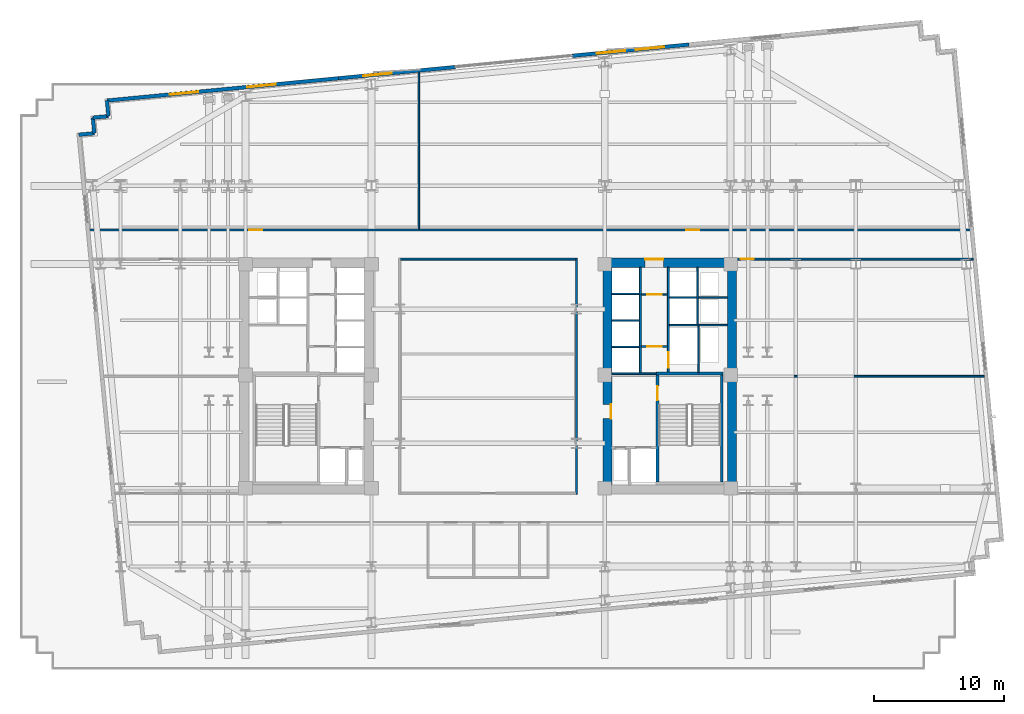
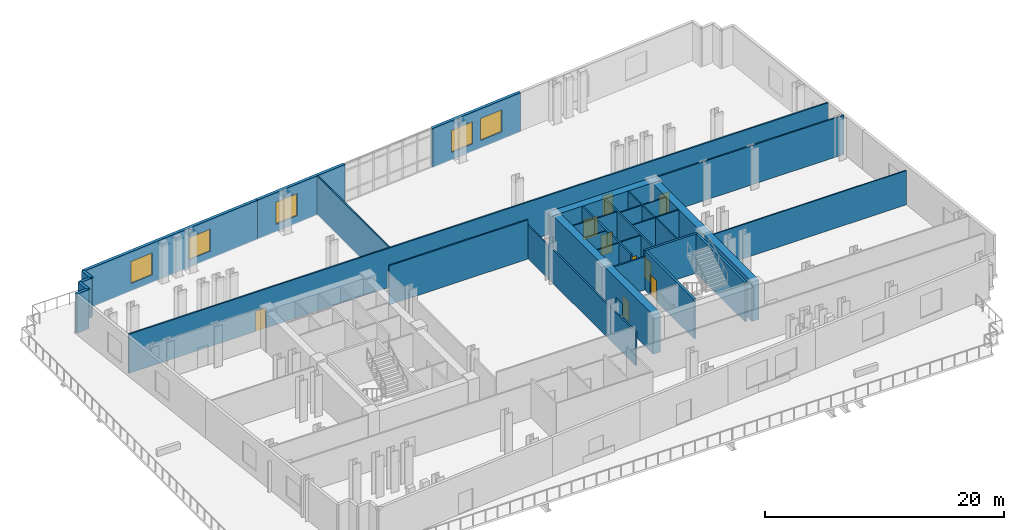
# One storey, part 8 of 14: 32 walls, 9 doors, 5 windows, 14 openings.
"""IFC4 building model written with IfcOpenShell, lengths in metres."""

from ifc_helpers import new_model, si_unit, direction, frame, frame_2d, origin, place, context, subcontext, project, spatial, rectangle, extrude, material, layer, layer_set, type_object, element, fill, save


model = new_model("IFC4")

# Units and contexts
model_context = context("Model", 3, precision=1e-05, world=origin(), true_north=direction((0.0, 1.0)))
body_context = subcontext(model_context, "Body", "Model", "MODEL_VIEW")
ifc_project = project(units=[si_unit("LENGTHUNIT", "METRE"), si_unit("AREAUNIT", "SQUARE_METRE"), si_unit("VOLUMEUNIT", "CUBIC_METRE"), si_unit("PLANEANGLEUNIT", "RADIAN"), si_unit("MASSUNIT", "GRAM", prefix="KILO")], contexts=[model_context])

# Site, building, storey
site_placement = place(None, origin())
site = spatial("IfcSite", under=ifc_project, at=site_placement, CompositionType="ELEMENT")
building_placement = place(site_placement, origin())
building = spatial("IfcBuilding", under=site, at=building_placement, Name="Velakula Bourse", CompositionType="ELEMENT")
storey_placement = place(building_placement, frame((0.0, 0.0, 70.0)))
storey = spatial("IfcBuildingStorey", under=building, at=storey_placement, Name="L18", CompositionType="ELEMENT", Elevation=70.0)

# Wall, opening, door
ifc_material_1 = material(Name="Concrete M50 (fck 50 MPa)", Category="concrete")
ifc_layer_1 = layer(ifc_material_1, 0.2099609375, Name="Concrete M50 (fck 50 MPa)", Category="concrete")
ifc_layer_set_1 = layer_set([ifc_layer_1], Name="Concrete M50 (fck 50 MPa)")
wall_type_1 = type_object("IfcWallType", Name="WL-CORE-210", PredefinedType="SHEAR", material=ifc_layer_set_1)
wall_1_placement = place(storey_placement, frame((12.9951171875, -8.10009765625, 0.0), z_axis=(0.0, 0.0, 1.0), x_axis=(0.0, 1.0, 0.0)))
wall_1 = element("IfcWall", 1, at=wall_1_placement, inside=storey, type_object=wall_type_1, Name="L18 Core E Stairwell Shear Wall IN", PredefinedType="SHEAR", context=body_context, shape_type="SweptSolid", body=[
    extrude(rectangle(XDim=8.2001953125, YDim=0.2099609375, at=frame_2d((4.10009765625, 0.0))), origin(), (0.0, 0.0, 1.0), 4.02001953125),
])
opening_1_placement = place(wall_1_placement, frame((6.25, 0.0, 0.0)))
opening_1 = element("IfcOpeningElement", 2, at=opening_1_placement, cuts=wall_1, Name="Opening D-STE1", PredefinedType="OPENING", context=body_context, shape_type="SweptSolid", body=[
    extrude(rectangle(XDim=1.10009765625, YDim=2.14990234375, at=frame_2d((0.550048828125, 1.074951171875))), frame((0.0, 0.114990234375, 0.0), z_axis=(0.0, -1.0, 0.0), x_axis=(1.0, 0.0, 0.0)), (0.0, 0.0, 1.0), 0.22998046875),
])
ifc_material_2 = material(Name="Galvanised painted hollow steel fire door", Category="steel")
door_type_1 = type_object("IfcDoorType", Name="DR-FD120-1100x2150", OperationType="NOTDEFINED", PredefinedType="DOOR", material=ifc_material_2)
door_1_placement = place(opening_1_placement, origin())
door_1 = element("IfcDoor", 3, at=door_1_placement, inside=storey, type_object=door_type_1, Name="L18 Stair ST-E1 Fire Door", OperationType="SINGLE_SWING_RIGHT", OverallHeight=2.14990234375, OverallWidth=1.10009765625, PredefinedType="DOOR", context=body_context, shape_type="SweptSolid", body=[
    extrude(rectangle(XDim=1.10009765625, YDim=2.14990234375, at=frame_2d((0.550048828125, 1.074951171875))), frame((0.0, 0.02490234375, 0.0), z_axis=(0.0, -1.0, 0.0), x_axis=(1.0, 0.0, 0.0)), (0.0, 0.0, 1.0), 0.050048828125),
])
fill(opening_1, door_1)

# Walls
wall_2_placement = place(storey_placement, frame((17.925048828125, -8.10009765625, 0.0), z_axis=(0.0, 0.0, 1.0), x_axis=(0.0, 1.0, 0.0)))
element("IfcWall", 4, at=wall_2_placement, inside=storey, type_object=wall_type_1, Name="L18 Core E Stairwell Shear Wall OUT", PredefinedType="SHEAR", context=body_context, shape_type="SweptSolid", body=[
    extrude(rectangle(XDim=8.2001953125, YDim=0.2099609375, at=frame_2d((4.10009765625, 0.0))), origin(), (0.0, 0.0, 1.0), 4.02001953125),
])
wall_3_placement = place(storey_placement, frame((18.030029296875, 0.205078125, 0.0), z_axis=(0.0, 0.0, 1.0), x_axis=(-1.0, 0.0, 0.0)))
element("IfcWall", 5, at=wall_3_placement, inside=storey, type_object=wall_type_1, Name="L18 Core E Stairwell Shear Wall N", PredefinedType="SHEAR", context=body_context, shape_type="SweptSolid", body=[
    extrude(rectangle(XDim=5.14013671875, YDim=0.2099609375, at=frame_2d((2.570068359375, 0.0))), origin(), (0.0, 0.0, 1.0), 4.02001953125),
])

# Wall, opening, door
ifc_material_3 = material(Name="Concrete M70 (fck 70 MPa)", Category="concrete")
ifc_layer_2 = layer(ifc_material_3, 0.699951171875, Name="Concrete M70 (fck 70 MPa)", Category="concrete")
ifc_layer_set_2 = layer_set([ifc_layer_2], Name="Concrete M70 (fck 70 MPa)")
wall_type_2 = type_object("IfcWallType", Name="WL-CORE-700", PredefinedType="SHEAR", material=ifc_layer_set_2)
wall_4_placement = place(storey_placement, frame((8.800048828125, 8.699951171875, 0.0), z_axis=(0.0, 0.0, 1.0), x_axis=(1.0, 0.0, 0.0)))
wall_4 = element("IfcWall", 6, at=wall_4_placement, inside=storey, type_object=wall_type_2, Name="L18 Core E Shear Wall N", PredefinedType="SHEAR", context=body_context, shape_type="SweptSolid", body=[
    extrude(rectangle(XDim=10.25, YDim=0.699951171875, at=frame_2d((5.125, 0.0))), origin(), (0.0, 0.0, 1.0), 4.02001953125),
])
opening_2_placement = place(wall_4_placement, frame((3.25, 0.0, 0.0)))
opening_2 = element("IfcOpeningElement", 7, at=opening_2_placement, cuts=wall_4, Name="Opening D-LLE", PredefinedType="OPENING", context=body_context, shape_type="SweptSolid", body=[
    extrude(rectangle(XDim=1.39990234375, YDim=2.050048828125, at=frame_2d((0.699951171875, 1.02490234375))), frame((0.0, 0.35986328125, 0.0), z_axis=(0.0, -1.0, 0.0), x_axis=(1.0, 0.0, 0.0)), (0.0, 0.0, 1.0), 0.719970703125),
])
ifc_material_4 = material(Name="Fire-rated hardwood flush architectural door", Category="wood")
door_type_2 = type_object("IfcDoorType", Name="DR-DBL-FD60-1400", OperationType="DOUBLE_DOOR_SINGLE_SWING", PredefinedType="DOOR", material=ifc_material_4)
door_2_placement = place(opening_2_placement, origin())
door_2 = element("IfcDoor", 8, at=door_2_placement, inside=storey, type_object=door_type_2, Name="L18 Core E Lift Lobby Corridor Double Door", OperationType="DOUBLE_DOOR_SINGLE_SWING", OverallHeight=2.050048828125, OverallWidth=1.39990234375, PredefinedType="DOOR", context=body_context, shape_type="SweptSolid", body=[
    extrude(rectangle(XDim=1.39990234375, YDim=2.050048828125, at=frame_2d((0.699951171875, 1.02490234375))), frame((0.0, 0.294921875, 0.0), z_axis=(0.0, -1.0, 0.0), x_axis=(1.0, 0.0, 0.0)), (0.0, 0.0, 1.0), 0.050048828125),
])
fill(opening_2, door_2)

wall_5_placement = place(storey_placement, frame((9.14990234375, -8.35009765625, 0.0), z_axis=(0.0, 0.0, 1.0), x_axis=(0.0, 1.0, 0.0)))
wall_5 = element("IfcWall", 9, at=wall_5_placement, inside=storey, type_object=wall_type_2, Name="L18 Core E Shear Wall W", PredefinedType="SHEAR", context=body_context, shape_type="SweptSolid", body=[
    extrude(rectangle(XDim=16.7001953125, YDim=0.699951171875, at=frame_2d((8.35009765625, 0.0))), origin(), (0.0, 0.0, 1.0), 4.02001953125),
])
opening_3_placement = place(wall_5_placement, frame((5.10009765625, 0.0, 0.0)))
opening_3 = element("IfcOpeningElement", 10, at=opening_3_placement, cuts=wall_5, Name="Opening D-FLE", PredefinedType="OPENING", context=body_context, shape_type="SweptSolid", body=[
    extrude(rectangle(XDim=1.10009765625, YDim=2.080078125, at=frame_2d((0.550048828125, 1.0400390625))), frame((0.0, 0.35986328125, 0.0), z_axis=(0.0, -1.0, 0.0), x_axis=(1.0, 0.0, 0.0)), (0.0, 0.0, 1.0), 0.719970703125),
])
door_type_3 = type_object("IfcDoorType", Name="DR-FD120-1100", OperationType="NOTDEFINED", PredefinedType="DOOR", material=ifc_material_2)
door_3_placement = place(opening_3_placement, origin())
door_3 = element("IfcDoor", 11, at=door_3_placement, inside=storey, type_object=door_type_3, Name="L18 Firefighting Lobby E Corridor Fire Door", OperationType="SINGLE_SWING_RIGHT", OverallHeight=2.080078125, OverallWidth=1.10009765625, PredefinedType="DOOR", context=body_context, shape_type="SweptSolid", body=[
    extrude(rectangle(XDim=1.10009765625, YDim=2.080078125, at=frame_2d((0.550048828125, 1.0400390625))), frame((0.0, -0.2548828125, 0.0), z_axis=(0.0, -1.0, 0.0), x_axis=(1.0, 0.0, 0.0)), (0.0, 0.0, 1.0), 0.050048828125),
])
fill(opening_3, door_3)

# Wall
wall_6_placement = place(storey_placement, frame((18.699951171875, -8.35009765625, 0.0), z_axis=(0.0, 0.0, 1.0), x_axis=(0.0, 1.0, 0.0)))
element("IfcWall", 12, at=wall_6_placement, inside=storey, type_object=wall_type_2, Name="L18 Core E Shear Wall E", PredefinedType="SHEAR", context=body_context, shape_type="SweptSolid", body=[
    extrude(rectangle(XDim=16.7001953125, YDim=0.699951171875, at=frame_2d((8.35009765625, 0.0))), origin(), (0.0, 0.0, 1.0), 4.02001953125),
])

# Wall, openings, windows
ifc_material_5 = material(Name="Red kilned clay facing brick masonry", Category="masonry")
ifc_layer_3 = layer(ifc_material_5, 0.280029296875, Name="Red kilned clay facing brick masonry", Category="masonry")
ifc_layer_set_3 = layer_set([ifc_layer_3], Name="Red kilned clay facing brick masonry")
wall_type_3 = type_object("IfcWallType", Name="WL-EXT-BRK-280", PredefinedType="STANDARD", material=ifc_layer_set_3)
wall_7_placement = place(storey_placement, frame((-29.2314453125, 21.138427734375, 0.0), z_axis=(0.0, 0.0, 1.0), x_axis=(0.995395780835, 0.095850088663, 0.0)))
wall_7 = element("IfcWall", 13, at=wall_7_placement, inside=storey, type_object=wall_type_3, Name="L18 N Brick Spandrel Wall B1", PredefinedType="STANDARD", context=body_context, shape_type="SweptSolid", body=[
    extrude(rectangle(XDim=17.83984375, YDim=0.280029296875, at=frame_2d((8.919921875, 0.0))), origin(), (0.0, 0.0, 1.0), 4.0),
])
opening_4_placement = place(wall_7_placement, frame((4.8466796875, 0.0, 0.760009765625)))
opening_4 = element("IfcOpeningElement", 14, at=opening_4_placement, cuts=wall_7, Name="Opening W-08", PredefinedType="OPENING", context=body_context, shape_type="SweptSolid", body=[
    extrude(rectangle(XDim=2.199951171875, YDim=2.25, at=frame_2d((1.10009765625, 1.125))), frame((0.0, 0.14990234375, 0.0), z_axis=(0.0, -1.0, 0.0), x_axis=(1.0, 0.0, 0.0)), (0.0, 0.0, 1.0), 0.300048828125),
])
opening_5_placement = place(wall_7_placement, frame((10.793212890625, 0.0, 0.760009765625)))
opening_5 = element("IfcOpeningElement", 15, at=opening_5_placement, cuts=wall_7, Name="Opening W-08", PredefinedType="OPENING", context=body_context, shape_type="SweptSolid", body=[
    extrude(rectangle(XDim=2.199951171875, YDim=2.25, at=frame_2d((1.10009765625, 1.125))), frame((0.0, 0.14990234375, 0.0), z_axis=(0.0, -1.0, 0.0), x_axis=(1.0, 0.0, 0.0)), (0.0, 0.0, 1.0), 0.300048828125),
])
ifc_material_6 = material(Name="Double-glazed solar-control Low-E glass", Category="glass")
window_type = type_object("IfcWindowType", Name="WIN-SL-2200x2500", PartitioningType="DOUBLE_PANEL_VERTICAL", PredefinedType="WINDOW", material=ifc_material_6)
window_1_placement = place(opening_4_placement, origin())
window_1 = element("IfcWindow", 16, at=window_1_placement, inside=storey, type_object=window_type, Name="L18 Deep-Set Recessed Window 1", OverallHeight=2.25, OverallWidth=2.199951171875, PartitioningType="DOUBLE_PANEL_VERTICAL", PredefinedType="WINDOW", context=body_context, shape_type="SweptSolid", body=[
    extrude(rectangle(XDim=2.199951171875, YDim=2.25, at=frame_2d((1.10009765625, 1.125))), frame((0.0, 0.030029296875, 0.0), z_axis=(0.0, -1.0, 0.0), x_axis=(1.0, 0.0, 0.0)), (0.0, 0.0, 1.0), 0.06005859375),
])
fill(opening_4, window_1)
window_2_placement = place(opening_5_placement, origin())
window_2 = element("IfcWindow", 17, at=window_2_placement, inside=storey, type_object=window_type, Name="L18 Deep-Set Recessed Window 2", OverallHeight=2.25, OverallWidth=2.199951171875, PartitioningType="DOUBLE_PANEL_VERTICAL", PredefinedType="WINDOW", context=body_context, shape_type="SweptSolid", body=[
    extrude(rectangle(XDim=2.199951171875, YDim=2.25, at=frame_2d((1.10009765625, 1.125))), frame((0.0, 0.030029296875, 0.0), z_axis=(0.0, -1.0, 0.0), x_axis=(1.0, 0.0, 0.0)), (0.0, 0.0, 1.0), 0.06005859375),
])
fill(opening_5, window_2)

# Wall, opening, window
wall_8_placement = place(storey_placement, frame((-11.4736328125, 22.848388671875, 0.0), z_axis=(0.0, 0.0, 1.0), x_axis=(0.995396794462, 0.09583956164, 0.0)))
wall_8 = element("IfcWall", 18, at=wall_8_placement, inside=storey, type_object=wall_type_3, Name="L18 N Brick Spandrel Wall B2", PredefinedType="STANDARD", context=body_context, shape_type="SweptSolid", body=[
    extrude(rectangle(XDim=9.0, YDim=0.280029296875, at=frame_2d((4.5, 0.0))), origin(), (0.0, 0.0, 1.0), 4.0),
])
opening_6_placement = place(wall_8_placement, frame((1.89990234375, 0.0, 0.760009765625)))
opening_6 = element("IfcOpeningElement", 19, at=opening_6_placement, cuts=wall_8, Name="Opening W-08", PredefinedType="OPENING", context=body_context, shape_type="SweptSolid", body=[
    extrude(rectangle(XDim=2.199951171875, YDim=2.25, at=frame_2d((1.10009765625, 1.125))), frame((0.0, 0.14990234375, 0.0), z_axis=(0.0, -1.0, 0.0), x_axis=(1.0, 0.0, 0.0)), (0.0, 0.0, 1.0), 0.300048828125),
])
window_3_placement = place(opening_6_placement, origin())
window_3 = element("IfcWindow", 20, at=window_3_placement, inside=storey, type_object=window_type, Name="L18 Deep-Set Recessed Window 1", OverallHeight=2.25, OverallWidth=2.199951171875, PartitioningType="DOUBLE_PANEL_VERTICAL", PredefinedType="WINDOW", context=body_context, shape_type="SweptSolid", body=[
    extrude(rectangle(XDim=2.199951171875, YDim=2.25, at=frame_2d((1.10009765625, 1.125))), frame((0.0, 0.030029296875, 0.0), z_axis=(0.0, -1.0, 0.0), x_axis=(1.0, 0.0, 0.0)), (0.0, 0.0, 1.0), 0.06005859375),
])
fill(opening_6, window_3)

# Wall, openings, windows
wall_9_placement = place(storey_placement, frame((6.443603515625, 24.573486328125, 0.0), z_axis=(0.0, 0.0, 1.0), x_axis=(0.995396794462, 0.09583956164, 0.0)))
wall_9 = element("IfcWall", 21, at=wall_9_placement, inside=storey, type_object=wall_type_3, Name="L18 N Brick Spandrel Wall B4", PredefinedType="STANDARD", context=body_context, shape_type="SweptSolid", body=[
    extrude(rectangle(XDim=9.0, YDim=0.280029296875, at=frame_2d((4.5, 0.0))), origin(), (0.0, 0.0, 1.0), 4.0),
])
opening_7_placement = place(wall_9_placement, frame((1.89990234375, 0.0, 0.760009765625)))
opening_7 = element("IfcOpeningElement", 22, at=opening_7_placement, cuts=wall_9, Name="Opening W-08", PredefinedType="OPENING", context=body_context, shape_type="SweptSolid", body=[
    extrude(rectangle(XDim=2.199951171875, YDim=2.25, at=frame_2d((1.10009765625, 1.125))), frame((0.0, 0.14990234375, 0.0), z_axis=(0.0, -1.0, 0.0), x_axis=(1.0, 0.0, 0.0)), (0.0, 0.0, 1.0), 0.300048828125),
])
opening_8_placement = place(wall_9_placement, frame((4.89990234375, 0.0, 0.760009765625)))
opening_8 = element("IfcOpeningElement", 23, at=opening_8_placement, cuts=wall_9, Name="Opening W-08", PredefinedType="OPENING", context=body_context, shape_type="SweptSolid", body=[
    extrude(rectangle(XDim=2.199951171875, YDim=2.25, at=frame_2d((1.10009765625, 1.125))), frame((0.0, 0.14990234375, 0.0), z_axis=(0.0, -1.0, 0.0), x_axis=(1.0, 0.0, 0.0)), (0.0, 0.0, 1.0), 0.300048828125),
])
window_4_placement = place(opening_7_placement, origin())
window_4 = element("IfcWindow", 24, at=window_4_placement, inside=storey, type_object=window_type, Name="L18 Deep-Set Recessed Window 1", OverallHeight=2.25, OverallWidth=2.199951171875, PartitioningType="DOUBLE_PANEL_VERTICAL", PredefinedType="WINDOW", context=body_context, shape_type="SweptSolid", body=[
    extrude(rectangle(XDim=2.199951171875, YDim=2.25, at=frame_2d((1.10009765625, 1.125))), frame((0.0, 0.030029296875, 0.0), z_axis=(0.0, -1.0, 0.0), x_axis=(1.0, 0.0, 0.0)), (0.0, 0.0, 1.0), 0.06005859375),
])
fill(opening_7, window_4)
window_5_placement = place(opening_8_placement, origin())
window_5 = element("IfcWindow", 25, at=window_5_placement, inside=storey, type_object=window_type, Name="L18 Deep-Set Recessed Window 2", OverallHeight=2.25, OverallWidth=2.199951171875, PartitioningType="DOUBLE_PANEL_VERTICAL", PredefinedType="WINDOW", context=body_context, shape_type="SweptSolid", body=[
    extrude(rectangle(XDim=2.199951171875, YDim=2.25, at=frame_2d((1.10009765625, 1.125))), frame((0.0, 0.030029296875, 0.0), z_axis=(0.0, -1.0, 0.0), x_axis=(1.0, 0.0, 0.0)), (0.0, 0.0, 1.0), 0.06005859375),
])
fill(opening_8, window_5)

# Walls
for number, where, z_axis, x_axis, name in (
    (26, (-29.2314453125, 21.138427734375, 0.0), (0.0, 0.0, 1.0), (0.095817067274, -0.995398960025, 0.0), "L18 Serrated Corner Brick Wall NW-1"),
    (27, (-29.116455078125, 19.94384765625, 0.0), (0.0, 0.0, 1.0), (-0.995398960025, -0.095817067274, 0.0), "L18 Serrated Corner Brick Wall NW-2"),
):
    element("IfcWall", number, at=place(storey_placement, frame(where, z_axis=z_axis, x_axis=x_axis)), inside=storey, type_object=wall_type_3, Name=name, PredefinedType="STANDARD", context=body_context, shape_type="SweptSolid", body=[
        extrude(rectangle(XDim=1.2001953125, YDim=0.280029296875, at=frame_2d((0.60009765625, 0.0))), origin(), (0.0, 0.0, 1.0), 4.0),
    ])
for number, where, z_axis, x_axis, name in (
    (28, (-30.31103515625, 19.828857421875, 0.0), (0.0, 0.0, 1.0), (0.095836473879, -0.995397091755, 0.0), "L18 Serrated Corner Brick Wall NW-3"),
    (29, (-30.196044921875, 18.634521484375, 0.0), (0.0, 0.0, 1.0), (-0.995397091755, -0.095836473879, 0.0), "L18 Serrated Corner Brick Wall NW-4"),
):
    element("IfcWall", number, at=place(storey_placement, frame(where, z_axis=z_axis, x_axis=x_axis)), inside=storey, type_object=wall_type_3, Name=name, PredefinedType="STANDARD", context=body_context, shape_type="SweptSolid", body=[
        extrude(rectangle(XDim=1.199951171875, YDim=0.280029296875, at=frame_2d((0.60009765625, 0.0))), origin(), (0.0, 0.0, 1.0), 4.0),
    ])

# Wall, opening, door
ifc_material_7 = material(Name="Fire-rated double-layer gypsum drywall partition", Category="gypsum")
ifc_layer_4 = layer(ifc_material_7, 0.1201171875, Name="Fire-rated double-layer gypsum drywall partition", Category="gypsum")
ifc_layer_set_4 = layer_set([ifc_layer_4], Name="Fire-rated double-layer gypsum drywall partition")
wall_type_4 = type_object("IfcWallType", Name="WL-PART-120", PredefinedType="STANDARD", material=ifc_layer_set_4)
wall_10_placement = place(storey_placement, frame((11.75, 2.280029296875, 0.0), z_axis=(0.0, 0.0, 1.0), x_axis=(1.0, 0.0, 0.0)))
wall_10 = element("IfcWall", 30, at=wall_10_placement, inside=storey, type_object=wall_type_4, Name="L18 Interior Partition WL-CRE-L18-LL-K3A", PredefinedType="STANDARD", context=body_context, shape_type="SweptSolid", body=[
    extrude(rectangle(XDim=2.0, YDim=0.1201171875, at=frame_2d((1.0, 0.0))), origin(), (0.0, 0.0, 1.0), 4.0),
])
opening_9_placement = place(wall_10_placement, frame((0.449951171875, 0.0, 0.0)))
opening_9 = element("IfcOpeningElement", 31, at=opening_9_placement, cuts=wall_10, Name="Opening D-LK3", PredefinedType="OPENING", context=body_context, shape_type="SweptSolid", body=[
    extrude(rectangle(XDim=1.10009765625, YDim=2.10009765625, at=frame_2d((0.550048828125, 1.050048828125))), frame((0.0, 0.070068359375, 0.0), z_axis=(0.0, -1.0, 0.0), x_axis=(1.0, 0.0, 0.0)), (0.0, 0.0, 1.0), 0.14013671875),
])
door_type_4 = type_object("IfcDoorType", Name="DR-FD60-1100x2100", OperationType="NOTDEFINED", PredefinedType="DOOR", material=ifc_material_4)
door_4_placement = place(opening_9_placement, origin())
door_4 = element("IfcDoor", 32, at=door_4_placement, inside=storey, type_object=door_type_4, Name="L18 Core E Lift Lobby Vestibule Door A", OperationType="SINGLE_SWING_RIGHT", OverallHeight=2.10009765625, OverallWidth=1.10009765625, PredefinedType="DOOR", context=body_context, shape_type="SweptSolid", body=[
    extrude(rectangle(XDim=1.10009765625, YDim=2.10009765625, at=frame_2d((0.550048828125, 1.050048828125))), frame((0.0, 0.02490234375, 0.0), z_axis=(0.0, -1.0, 0.0), x_axis=(1.0, 0.0, 0.0)), (0.0, 0.0, 1.0), 0.050048828125),
])
fill(opening_9, door_4)

wall_11_placement = place(storey_placement, frame((11.75, 6.280029296875, 0.0), z_axis=(0.0, 0.0, 1.0), x_axis=(1.0, 0.0, 0.0)))
wall_11 = element("IfcWall", 33, at=wall_11_placement, inside=storey, type_object=wall_type_4, Name="L18 Interior Partition WL-CRE-L18-LL-K3B", PredefinedType="STANDARD", context=body_context, shape_type="SweptSolid", body=[
    extrude(rectangle(XDim=2.0, YDim=0.1201171875, at=frame_2d((1.0, 0.0))), origin(), (0.0, 0.0, 1.0), 4.0),
])
opening_10_placement = place(wall_11_placement, frame((0.449951171875, 0.0, 0.0)))
opening_10 = element("IfcOpeningElement", 34, at=opening_10_placement, cuts=wall_11, Name="Opening D-LK3", PredefinedType="OPENING", context=body_context, shape_type="SweptSolid", body=[
    extrude(rectangle(XDim=1.10009765625, YDim=2.10009765625, at=frame_2d((0.550048828125, 1.050048828125))), frame((0.0, 0.070068359375, 0.0), z_axis=(0.0, -1.0, 0.0), x_axis=(1.0, 0.0, 0.0)), (0.0, 0.0, 1.0), 0.14013671875),
])
door_5_placement = place(opening_10_placement, origin())
door_5 = element("IfcDoor", 35, at=door_5_placement, inside=storey, type_object=door_type_4, Name="L18 Core E Lift Lobby Vestibule Door B", OperationType="SINGLE_SWING_RIGHT", OverallHeight=2.10009765625, OverallWidth=1.10009765625, PredefinedType="DOOR", context=body_context, shape_type="SweptSolid", body=[
    extrude(rectangle(XDim=1.10009765625, YDim=2.10009765625, at=frame_2d((0.550048828125, 1.050048828125))), frame((0.0, 0.02490234375, 0.0), z_axis=(0.0, -1.0, 0.0), x_axis=(1.0, 0.0, 0.0)), (0.0, 0.0, 1.0), 0.050048828125),
])
fill(opening_10, door_5)

# Walls
for number, where, z_axis, x_axis, name in (
    (36, (9.5, 2.2548828125, 0.0), (0.0, 0.0, 1.0), (1.0, 0.0, 0.0), "L18 Interior Partition WL-CRE-L18-BDIV-0"),
    (37, (9.5, 4.284912109375, 0.0), (0.0, 0.0, 1.0), (1.0, 0.0, 0.0), "L18 Interior Partition WL-CRE-L18-BDIV-1"),
    (38, (9.5, 6.31494140625, 0.0), (0.0, 0.0, 1.0), (1.0, 0.0, 0.0), "L18 Interior Partition WL-CRE-L18-BDIV-2"),
):
    element("IfcWall", number, at=place(storey_placement, frame(where, z_axis=z_axis, x_axis=x_axis)), inside=storey, type_object=wall_type_4, Name=name, PredefinedType="STANDARD", context=body_context, shape_type="SweptSolid", body=[
        extrude(rectangle(XDim=2.10009765625, YDim=0.110107421875, at=frame_2d((1.050048828125, 0.0))), origin(), (0.0, 0.0, 1.0), 4.0),
    ])
wall_12_placement = place(storey_placement, frame((13.89990234375, 3.919921875, 0.0), z_axis=(0.0, 0.0, 1.0), x_axis=(1.0, 0.0, 0.0)))
element("IfcWall", 39, at=wall_12_placement, inside=storey, type_object=wall_type_4, Name="L18 Interior Partition WL-CRE-L18-HI-S", PredefinedType="STANDARD", context=body_context, shape_type="SweptSolid", body=[
    extrude(rectangle(XDim=4.4501953125, YDim=0.1201171875, at=frame_2d((2.22509765625, 0.0))), origin(), (0.0, 0.0, 1.0), 4.0),
])
wall_13_placement = place(storey_placement, frame((16.14990234375, 6.030029296875, 0.0), z_axis=(0.0, 0.0, 1.0), x_axis=(1.0, 0.0, 0.0)))
element("IfcWall", 40, at=wall_13_placement, inside=storey, type_object=wall_type_4, Name="L18 Interior Partition WL-CRE-L18-RIS-MID", PredefinedType="STANDARD", context=body_context, shape_type="SweptSolid", body=[
    extrude(rectangle(XDim=2.2001953125, YDim=0.1201171875, at=frame_2d((1.10009765625, 0.0))), origin(), (0.0, 0.0, 1.0), 4.0),
])
wall_14_placement = place(storey_placement, frame((16.074951171875, 3.97998046875, 0.0), z_axis=(0.0, 0.0, 1.0), x_axis=(0.0, 1.0, 0.0)))
element("IfcWall", 41, at=wall_14_placement, inside=storey, type_object=wall_type_4, Name="L18 Interior Partition WL-CRE-L18-RIS-F", PredefinedType="STANDARD", context=body_context, shape_type="SweptSolid", body=[
    extrude(rectangle(XDim=4.3701171875, YDim=0.1201171875, at=frame_2d((2.18505859375, 0.0))), origin(), (0.0, 0.0, 1.0), 4.0),
])
wall_15_placement = place(storey_placement, frame((13.89990234375, 6.030029296875, 0.0), z_axis=(0.0, 0.0, 1.0), x_axis=(1.0, 0.0, 0.0)))
element("IfcWall", 42, at=wall_15_placement, inside=storey, type_object=wall_type_4, Name="L18 Interior Partition WL-CRE-L18-HI-DIV", PredefinedType="STANDARD", context=body_context, shape_type="SweptSolid", body=[
    extrude(rectangle(XDim=2.10009765625, YDim=0.1201171875, at=frame_2d((1.050048828125, 0.0))), origin(), (0.0, 0.0, 1.0), 4.0),
])
wall_16_placement = place(storey_placement, frame((16.125, 0.27001953125, 0.0), z_axis=(0.0, 0.0, 1.0), x_axis=(0.0, 1.0, 0.0)))
element("IfcWall", 43, at=wall_16_placement, inside=storey, type_object=wall_type_4, Name="L18 Interior Partition WL-CRE-L18-SVL-E", PredefinedType="STANDARD", context=body_context, shape_type="SweptSolid", body=[
    extrude(rectangle(XDim=3.590087890625, YDim=0.1201171875, at=frame_2d((1.794921875, 0.0))), origin(), (0.0, 0.0, 1.0), 4.0),
])
wall_17_placement = place(storey_placement, frame((-5.31201171875, 11.2900390625, 0.0), z_axis=(0.0, 0.0, 1.0), x_axis=(0.0, 1.0, 0.0)))
element("IfcWall", 44, at=wall_17_placement, inside=storey, type_object=wall_type_4, Name="L18 Interior Partition WL-INT-L18-N-D1", PredefinedType="STANDARD", context=body_context, shape_type="SweptSolid", body=[
    extrude(rectangle(XDim=12.031005859375, YDim=0.1201171875, at=frame_2d((6.015625, 0.0))), origin(), (0.0, 0.0, 1.0), 4.0),
])
wall_18_placement = place(storey_placement, frame((19.050048828125, 0.0, 0.0), z_axis=(0.0, 0.0, 1.0), x_axis=(1.0, 0.0, 0.0)))
element("IfcWall", 45, at=wall_18_placement, inside=storey, type_object=wall_type_4, Name="L18 Interior Partition WL-INT-L18-E-H", PredefinedType="STANDARD", context=body_context, shape_type="SweptSolid", body=[
    extrude(rectangle(XDim=19.014404296875, YDim=0.1201171875, at=frame_2d((9.50732421875, 0.0))), origin(), (0.0, 0.0, 1.0), 3.4951171875),
])

# Wall, openings, doors
ifc_layer_5 = layer(ifc_material_7, 0.139892578125, Name="Fire-rated double-layer gypsum drywall partition", Category="gypsum")
ifc_layer_set_5 = layer_set([ifc_layer_5], Name="Fire-rated double-layer gypsum drywall partition")
wall_type_5 = type_object("IfcWallType", Name="WL-PART-140", PredefinedType="STANDARD", material=ifc_layer_set_5)
wall_19_placement = place(storey_placement, frame((-30.56689453125, 11.219970703125, 0.0), z_axis=(0.0, 0.0, 1.0), x_axis=(1.0, 0.0, 0.0)))
wall_19 = element("IfcWall", 46, at=wall_19_placement, inside=storey, type_object=wall_type_5, Name="L18 Interior Partition WL-INT-L18-N-CORR", PredefinedType="STANDARD", context=body_context, shape_type="SweptSolid", body=[
    extrude(rectangle(XDim=67.55078125, YDim=0.139892578125, at=frame_2d((33.775390625, 0.0))), origin(), (0.0, 0.0, 1.0), 4.0),
])
opening_11_placement = place(wall_19_placement, frame((12.25341796875, 0.0, 0.0)))
opening_11 = element("IfcOpeningElement", 47, at=opening_11_placement, cuts=wall_19, Name="Opening D-OF1", PredefinedType="OPENING", context=body_context, shape_type="SweptSolid", body=[
    extrude(rectangle(XDim=1.0, YDim=2.080078125, at=frame_2d((0.5, 1.0400390625))), frame((0.0, 0.079833984375, 0.0), z_axis=(0.0, -1.0, 0.0), x_axis=(1.0, 0.0, 0.0)), (0.0, 0.0, 1.0), 0.159912109375),
])
opening_12_placement = place(wall_19_placement, frame((45.777099609375, 0.0, 0.0)))
opening_12 = element("IfcOpeningElement", 48, at=opening_12_placement, cuts=wall_19, Name="Opening D-OF1", PredefinedType="OPENING", context=body_context, shape_type="SweptSolid", body=[
    extrude(rectangle(XDim=1.0, YDim=2.080078125, at=frame_2d((0.5, 1.0400390625))), frame((0.0, 0.079833984375, 0.0), z_axis=(0.0, -1.0, 0.0), x_axis=(1.0, 0.0, 0.0)), (0.0, 0.0, 1.0), 0.159912109375),
])
door_type_5 = type_object("IfcDoorType", Name="DR-OFF-1000", OperationType="NOTDEFINED", PredefinedType="DOOR", material=ifc_material_4)
door_6_placement = place(opening_11_placement, origin())
door_6 = element("IfcDoor", 49, at=door_6_placement, inside=storey, type_object=door_type_5, Name="L18 Sky Reception Foyer Door", OperationType="SINGLE_SWING_LEFT", OverallHeight=2.080078125, OverallWidth=1.0, PredefinedType="DOOR", context=body_context, shape_type="SweptSolid", body=[
    extrude(rectangle(XDim=1.0, YDim=2.080078125, at=frame_2d((0.5, 1.0400390625))), frame((0.0, 0.02490234375, 0.0), z_axis=(0.0, -1.0, 0.0), x_axis=(1.0, 0.0, 0.0)), (0.0, 0.0, 1.0), 0.050048828125),
])
fill(opening_11, door_6)
door_7_placement = place(opening_12_placement, origin())
door_7 = element("IfcDoor", 50, at=door_7_placement, inside=storey, type_object=door_type_5, Name="L18 Disciplinary Hearing Room Door", OperationType="SINGLE_SWING_RIGHT", OverallHeight=2.080078125, OverallWidth=1.0, PredefinedType="DOOR", context=body_context, shape_type="SweptSolid", body=[
    extrude(rectangle(XDim=1.0, YDim=2.080078125, at=frame_2d((0.5, 1.0400390625))), frame((0.0, 0.02490234375, 0.0), z_axis=(0.0, -1.0, 0.0), x_axis=(1.0, 0.0, 0.0)), (0.0, 0.0, 1.0), 0.050048828125),
])
fill(opening_12, door_7)

# Wall, opening, door
wall_20_placement = place(storey_placement, frame((19.050048828125, 8.97998046875, 0.0), z_axis=(0.0, 0.0, 1.0), x_axis=(1.0, 0.0, 0.0)))
wall_20 = element("IfcWall", 51, at=wall_20_placement, inside=storey, type_object=wall_type_5, Name="L18 Interior Partition WL-INT-L18-E-NC", PredefinedType="STANDARD", context=body_context, shape_type="SweptSolid", body=[
    extrude(rectangle(XDim=18.149658203125, YDim=0.139892578125, at=frame_2d((9.07470703125, 0.0))), origin(), (0.0, 0.0, 1.0), 4.0),
])
opening_13_placement = place(wall_20_placement, frame((0.320068359375, 0.0, 0.0)))
opening_13 = element("IfcOpeningElement", 52, at=opening_13_placement, cuts=wall_20, Name="Opening D-OF1", PredefinedType="OPENING", context=body_context, shape_type="SweptSolid", body=[
    extrude(rectangle(XDim=1.0, YDim=2.080078125, at=frame_2d((0.5, 1.0400390625))), frame((0.0, 0.079833984375, 0.0), z_axis=(0.0, -1.0, 0.0), x_axis=(1.0, 0.0, 0.0)), (0.0, 0.0, 1.0), 0.159912109375),
])
door_8_placement = place(opening_13_placement, origin())
door_8 = element("IfcDoor", 53, at=door_8_placement, inside=storey, type_object=door_type_5, Name="L18 General Counsel Office Door", OperationType="SINGLE_SWING_RIGHT", OverallHeight=2.080078125, OverallWidth=1.0, PredefinedType="DOOR", context=body_context, shape_type="SweptSolid", body=[
    extrude(rectangle(XDim=1.0, YDim=2.080078125, at=frame_2d((0.5, 1.0400390625))), frame((0.0, 0.02490234375, 0.0), z_axis=(0.0, -1.0, 0.0), x_axis=(1.0, 0.0, 0.0)), (0.0, 0.0, 1.0), 0.050048828125),
])
fill(opening_13, door_8)

# Walls
wall_21_placement = place(storey_placement, frame((6.780029296875, -9.050048828125, 0.0), z_axis=(0.0, 0.0, 1.0), x_axis=(0.0, 1.0, 0.0)))
element("IfcWall", 54, at=wall_21_placement, inside=storey, type_object=wall_type_5, Name="L18 Interior Partition WL-INT-L18-MID-E", PredefinedType="STANDARD", context=body_context, shape_type="SweptSolid", body=[
    extrude(rectangle(XDim=18.10009765625, YDim=0.139892578125, at=frame_2d((9.050048828125, 0.0))), origin(), (0.0, 0.0, 1.0), 3.39501953125),
])
wall_22_placement = place(storey_placement, frame((-6.7099609375, 8.97998046875, 0.0), z_axis=(0.0, 0.0, 1.0), x_axis=(1.0, 0.0, 0.0)))
element("IfcWall", 55, at=wall_22_placement, inside=storey, type_object=wall_type_5, Name="L18 Interior Partition WL-INT-L18-MID-N", PredefinedType="STANDARD", context=body_context, shape_type="SweptSolid", body=[
    extrude(rectangle(XDim=13.419921875, YDim=0.139892578125, at=frame_2d((6.7099609375, 0.0))), origin(), (0.0, 0.0, 1.0), 4.0),
])
ifc_material_8 = material(Name="Autoclaved aerated concrete blockwork masonry", Category="masonry")
ifc_layer_6 = layer(ifc_material_8, 0.14990234375, Name="Autoclaved aerated concrete blockwork masonry", Category="masonry")
ifc_layer_set_6 = layer_set([ifc_layer_6], Name="Autoclaved aerated concrete blockwork masonry")
wall_type_6 = type_object("IfcWallType", Name="WL-SHAFT-150", PredefinedType="STANDARD", material=ifc_layer_set_6)
wall_23_placement = place(storey_placement, frame((9.5, 0.18994140625, 0.0), z_axis=(0.0, 0.0, 1.0), x_axis=(1.0, 0.0, 0.0)))
element("IfcWall", 56, at=wall_23_placement, inside=storey, type_object=wall_type_6, Name="L18 Interior Partition WL-CRE-L18-FF-TOP", PredefinedType="STANDARD", context=body_context, shape_type="SweptSolid", body=[
    extrude(rectangle(XDim=3.389892578125, YDim=0.14990234375, at=frame_2d((1.69482421875, 0.0))), origin(), (0.0, 0.0, 1.0), 3.39501953125),
])
wall_24_placement = place(storey_placement, frame((11.675048828125, 0.27001953125, 0.0), z_axis=(0.0, 0.0, 1.0), x_axis=(0.0, 1.0, 0.0)))
element("IfcWall", 57, at=wall_24_placement, inside=storey, type_object=wall_type_6, Name="L18 Interior Partition WL-CRE-L18-BANK-F", PredefinedType="STANDARD", context=body_context, shape_type="SweptSolid", body=[
    extrude(rectangle(XDim=8.080078125, YDim=0.14990234375, at=frame_2d((4.0400390625, 0.0))), origin(), (0.0, 0.0, 1.0), 4.0),
])

# Wall, opening, door
wall_25_placement = place(storey_placement, frame((13.824951171875, 0.27001953125, 0.0), z_axis=(0.0, 0.0, 1.0), x_axis=(0.0, 1.0, 0.0)))
wall_25 = element("IfcWall", 58, at=wall_25_placement, inside=storey, type_object=wall_type_6, Name="L18 Interior Partition WL-CRE-L18-OUT-F", PredefinedType="STANDARD", context=body_context, shape_type="SweptSolid", body=[
    extrude(rectangle(XDim=8.080078125, YDim=0.14990234375, at=frame_2d((4.0400390625, 0.0))), origin(), (0.0, 0.0, 1.0), 4.0),
])
opening_14_placement = place(wall_25_placement, frame((0.3798828125, 0.0, 0.0)))
opening_14 = element("IfcOpeningElement", 59, at=opening_14_placement, cuts=wall_25, Name="Opening LD-SVL1", PredefinedType="OPENING", context=body_context, shape_type="SweptSolid", body=[
    extrude(rectangle(XDim=1.199951171875, YDim=2.10009765625, at=frame_2d((0.60009765625, 1.050048828125))), frame((0.0, 0.0849609375, 0.0), z_axis=(0.0, -1.0, 0.0), x_axis=(1.0, 0.0, 0.0)), (0.0, 0.0, 1.0), 0.169921875),
])
ifc_material_9 = material(Name="Brushed grade 316 stainless steel", Category="steel")
door_type_6 = type_object("IfcDoorType", Name="DR-SLIDE-LD-1200", OperationType="DOUBLE_DOOR_SLIDING", PredefinedType="DOOR", material=ifc_material_9)
door_9_placement = place(opening_14_placement, origin())
door_9 = element("IfcDoor", 60, at=door_9_placement, inside=storey, type_object=door_type_6, Name="L18 Service Lift SVL-1 Sliding Landing Door", OperationType="DOUBLE_DOOR_SLIDING", OverallHeight=2.10009765625, OverallWidth=1.199951171875, PredefinedType="DOOR", context=body_context, shape_type="SweptSolid", body=[
    extrude(rectangle(XDim=1.199951171875, YDim=2.10009765625, at=frame_2d((0.60009765625, 1.050048828125))), frame((0.0, 0.02490234375, 0.0), z_axis=(0.0, -1.0, 0.0), x_axis=(1.0, 0.0, 0.0)), (0.0, 0.0, 1.0), 0.050048828125),
])
fill(opening_14, door_9)

save(model, "model.ifc")
